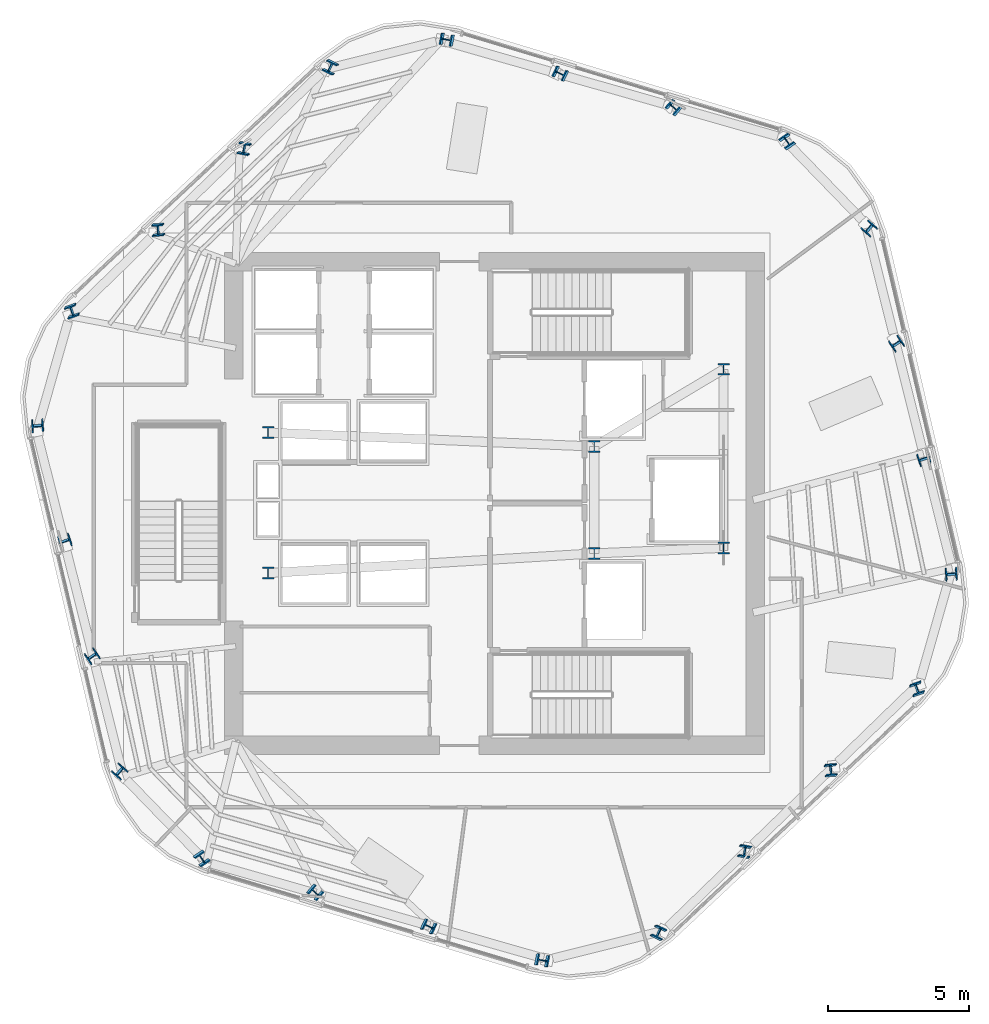
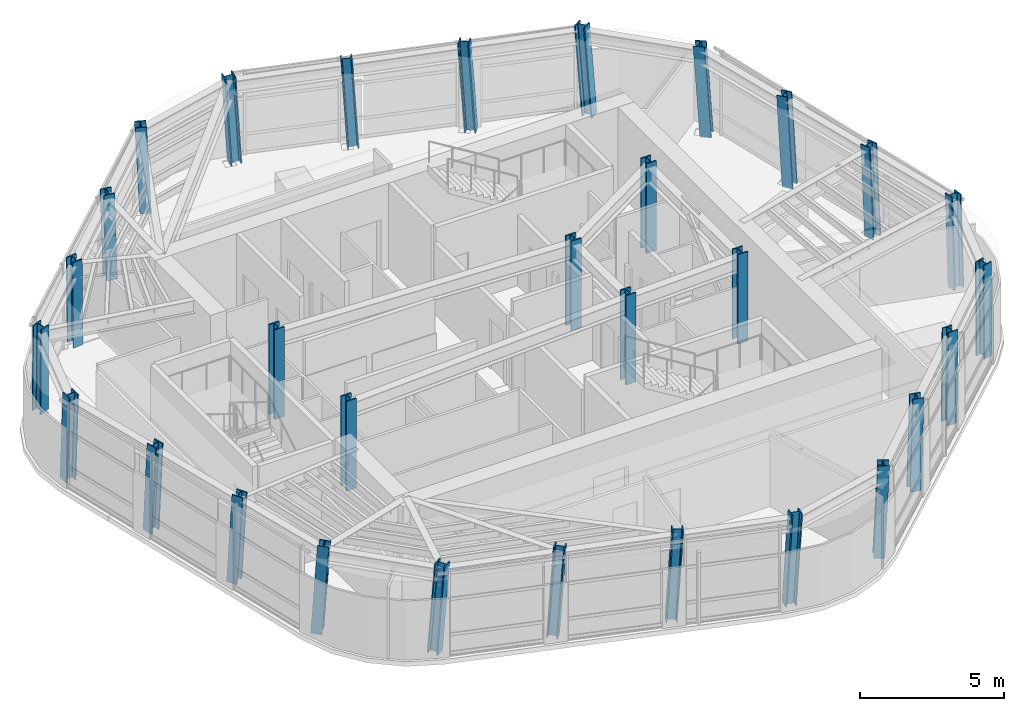
# One storey, part 1 of 14: 30 columns.
"""IFC4 building model written with IfcOpenShell, lengths in metres."""

from ifc_helpers import new_model, si_unit, direction, frame, origin, origin_2d, place, context, subcontext, project, spatial, i_section, extrude, material, material_profile, profile_set, type_object, element, save


model = new_model("IFC4")

# Units and contexts
model_context = context("Model", 3, precision=1e-05, world=origin(), true_north=direction((0.0, 1.0)))
body_context = subcontext(model_context, "Body", "Model", "MODEL_VIEW")
ifc_project = project(units=[si_unit("LENGTHUNIT", "METRE"), si_unit("AREAUNIT", "SQUARE_METRE"), si_unit("VOLUMEUNIT", "CUBIC_METRE"), si_unit("PLANEANGLEUNIT", "RADIAN"), si_unit("MASSUNIT", "GRAM", prefix="KILO")], contexts=[model_context])

# Site, building, storey
site_placement = place(None, origin())
site = spatial("IfcSite", under=ifc_project, at=site_placement, CompositionType="ELEMENT")
building_placement = place(site_placement, origin())
building = spatial("IfcBuilding", under=site, at=building_placement, Name="Valkerne Bourse Tower", CompositionType="ELEMENT")
storey_placement = place(building_placement, frame((0.0, 0.0, 209.39990234375)))
storey = spatial("IfcBuildingStorey", under=building, at=storey_placement, Name="L53", CompositionType="ELEMENT", Elevation=209.39990234375)

# Columns
ifc_material = material(Name="Steel ASTM A913 Grade 65", Category="steel")
ifc_material_profile_1 = material_profile(ifc_material, i_section(OverallWidth=0.40380859375, OverallDepth=0.406494140625, WebThickness=0.027099609375, FlangeThickness=0.043701171875, FilletRadius=0.025390625, at=origin_2d()), Name="W14X233")
ifc_profile_set_1 = profile_set([ifc_material_profile_1], Name="Steel ASTM A913 Grade 65")
column_type_1 = type_object("IfcColumnType", Name="COL-W14X233", PredefinedType="COLUMN", material=ifc_profile_set_1)
column_1_placement = place(storey_placement, frame((57.2412109375, 39.72412109375, 0.010009765625), z_axis=(-0.053081989498, 0.042839226961, 0.997670839017), x_axis=(0.825622382138, 0.563878517046, 0.019715479373)))
element("IfcColumn", 1, at=column_1_placement, inside=storey, type_object=column_type_1, Name="L53 Helical Perimeter Tube Column F1-C1", PredefinedType="COLUMN", context=body_context, shape_type="SweptSolid", body=[
    extrude(i_section(OverallWidth=0.40380859375, OverallDepth=0.406494140625, WebThickness=0.027099609375, FlangeThickness=0.043701171875, FilletRadius=0.025390625, at=origin_2d()), origin(), (0.0, 0.0, 1.0), 3.789794921875),
])
for number, where, z_axis, x_axis, name in (
    (2, (53.208984375, 40.94140625, 0.010009765625), (-0.057995614816, 0.026098026667, 0.99797565184), (0.655890851846, 0.754631901809, 0.018381600467), "L53 Helical Perimeter Tube Column F1-C2"),
    (3, (49.1767578125, 42.15869140625, 0.010009765625), (-0.062893077656, 0.009343746168, 0.997976530381), (0.425996093704, 0.904538330532, 0.018377615389), "L53 Helical Perimeter Tube Column F1-C3"),
):
    element("IfcColumn", number, at=place(storey_placement, frame(where, z_axis=z_axis, x_axis=x_axis)), inside=storey, type_object=column_type_1, Name=name, PredefinedType="COLUMN", context=body_context, shape_type="SweptSolid", body=[
        extrude(i_section(OverallWidth=0.40380859375, OverallDepth=0.406494140625, WebThickness=0.027099609375, FlangeThickness=0.043701171875, FilletRadius=0.025390625, at=origin_2d()), origin(), (0.0, 0.0, 1.0), 3.78857421875),
    ])
for number, where, z_axis, x_axis, name in (
    (4, (45.14453125, 43.376220703125, 0.010009765625), (-0.067769903324, -0.007408306922, 0.99767347223), (0.182621497691, 0.982985822575, 0.019704344622), "L53 Helical Perimeter Tube Column F1-C4"),
    (5, (41.00146484375, 42.404296875, 0.010009765625), (-0.063710996272, -0.024543872174, 0.997666531108), (-0.899348347449, 0.434727676094, -0.046737539293), "L53 Helical Perimeter Tube Column F2-C1"),
):
    element("IfcColumn", number, at=place(storey_placement, frame(where, z_axis=z_axis, x_axis=x_axis)), inside=storey, type_object=column_type_1, Name=name, PredefinedType="COLUMN", context=body_context, shape_type="SweptSolid", body=[
        extrude(i_section(OverallWidth=0.40380859375, OverallDepth=0.406494140625, WebThickness=0.027099609375, FlangeThickness=0.043701171875, FilletRadius=0.025390625, at=origin_2d()), origin(), (0.0, 0.0, 1.0), 3.789794921875),
    ])
for number, where, z_axis, x_axis, name in (
    (6, (37.930908203125, 39.52099609375, 0.010009765625), (-0.051616043067, -0.03718159407, 0.997974605469), (-0.980392387043, 0.192183430068, -0.043546488208), "L53 Helical Perimeter Tube Column F2-C2"),
    (7, (34.860595703125, 36.6376953125, 0.010009765625), (-0.039565856145, -0.04981173746, 0.997974615829), (-0.995718159121, -0.081541772438, -0.043546376948), "L53 Helical Perimeter Tube Column F2-C3"),
):
    element("IfcColumn", number, at=place(storey_placement, frame(where, z_axis=z_axis, x_axis=x_axis)), inside=storey, type_object=column_type_1, Name=name, PredefinedType="COLUMN", context=body_context, shape_type="SweptSolid", body=[
        extrude(i_section(OverallWidth=0.40380859375, OverallDepth=0.406494140625, WebThickness=0.027099609375, FlangeThickness=0.043701171875, FilletRadius=0.025390625, at=origin_2d()), origin(), (0.0, 0.0, 1.0), 3.78857421875),
    ])
for number, where, z_axis, x_axis, name in (
    (8, (31.7900390625, 33.75439453125, 0.010009765625), (-0.027507288022, -0.062422862044, 0.997670654775), (-0.94247057403, -0.331011593814, -0.046696272326), "L53 Helical Perimeter Tube Column F2-C4"),
    (9, (30.56005859375, 29.680419921875, 0.010009765625), (-0.010564866131, -0.06738323154, 0.997671230271), (0.075143096012, -0.994959285269, -0.066404335549), "L53 Helical Perimeter Tube Column F3-C1"),
):
    element("IfcColumn", number, at=place(storey_placement, frame(where, z_axis=z_axis, x_axis=x_axis)), inside=storey, type_object=column_type_1, Name=name, PredefinedType="COLUMN", context=body_context, shape_type="SweptSolid", body=[
        extrude(i_section(OverallWidth=0.40380859375, OverallDepth=0.406494140625, WebThickness=0.027099609375, FlangeThickness=0.043701171875, FilletRadius=0.025390625, at=origin_2d()), origin(), (0.0, 0.0, 1.0), 3.789794921875),
    ])
for number, where, z_axis, x_axis, name in (
    (10, (31.52197265625, 25.57958984375, 0.010009765625), (0.006379516305, -0.063279646583, 0.997975444638), (0.324657514773, -0.943802632857, -0.06192001546), "L53 Helical Perimeter Tube Column F3-C2"),
    (11, (32.483642578125, 21.47900390625, 0.010009765625), (0.023391541914, -0.059155469633, 0.997974682134), (0.56963119223, -0.819563770528, -0.061931662951), "L53 Helical Perimeter Tube Column F3-C3"),
):
    element("IfcColumn", number, at=place(storey_placement, frame(where, z_axis=z_axis, x_axis=x_axis)), inside=storey, type_object=column_type_1, Name=name, PredefinedType="COLUMN", context=body_context, shape_type="SweptSolid", body=[
        extrude(i_section(OverallWidth=0.40380859375, OverallDepth=0.406494140625, WebThickness=0.027099609375, FlangeThickness=0.043701171875, FilletRadius=0.025390625, at=origin_2d()), origin(), (0.0, 0.0, 1.0), 3.78857421875),
    ])
for number, where, z_axis, x_axis, name in (
    (12, (33.445556640625, 17.37841796875, 0.010009765625), (0.040326708995, -0.055078811806, 0.997667319817), (0.7580459344, -0.648806157296, -0.066459999963), "L53 Helical Perimeter Tube Column F3-C4"),
    (13, (36.358642578125, 14.27587890625, 0.010009765625), (0.053081989498, -0.042839226961, 0.997670839017), (0.825622382138, 0.563878517046, -0.019715479373), "L53 Helical Perimeter Tube Column F4-C1"),
):
    element("IfcColumn", number, at=place(storey_placement, frame(where, z_axis=z_axis, x_axis=x_axis)), inside=storey, type_object=column_type_1, Name=name, PredefinedType="COLUMN", context=body_context, shape_type="SweptSolid", body=[
        extrude(i_section(OverallWidth=0.40380859375, OverallDepth=0.406494140625, WebThickness=0.027099609375, FlangeThickness=0.043701171875, FilletRadius=0.025390625, at=origin_2d()), origin(), (0.0, 0.0, 1.0), 3.789794921875),
    ])
for number, where, z_axis, x_axis, name in (
    (14, (40.39111328125, 13.05859375, 0.010009765625), (0.057931391626, -0.026098124147, 0.997979379436), (0.656205843786, 0.75435842203, -0.018364686036), "L53 Helical Perimeter Tube Column F4-C2"),
    (15, (44.423095703125, 11.84130859375, 0.010009765625), (0.062957262, -0.009343708281, 0.997972483727), (0.425860352579, 0.904601872988, -0.018395963898), "L53 Helical Perimeter Tube Column F4-C3"),
):
    element("IfcColumn", number, at=place(storey_placement, frame(where, z_axis=z_axis, x_axis=x_axis)), inside=storey, type_object=column_type_1, Name=name, PredefinedType="COLUMN", context=body_context, shape_type="SweptSolid", body=[
        extrude(i_section(OverallWidth=0.40380859375, OverallDepth=0.406494140625, WebThickness=0.027099609375, FlangeThickness=0.043701171875, FilletRadius=0.025390625, at=origin_2d()), origin(), (0.0, 0.0, 1.0), 3.78857421875),
    ])
for number, where, z_axis, x_axis, name in (
    (16, (48.455322265625, 10.623779296875, 0.010009765625), (0.067834027099, 0.007408274564, 0.997669114604), (0.182721087933, 0.98296694576, -0.019722767764), "L53 Helical Perimeter Tube Column F4-C4"),
    (17, (52.5986328125, 11.595703125, 0.010009765625), (0.06364683775, 0.024543972857, 0.997670623723), (-0.899498492469, 0.434421329084, 0.04669658321), "L53 Helical Perimeter Tube Column F5-C1"),
):
    element("IfcColumn", number, at=place(storey_placement, frame(where, z_axis=z_axis, x_axis=x_axis)), inside=storey, type_object=column_type_1, Name=name, PredefinedType="COLUMN", context=body_context, shape_type="SweptSolid", body=[
        extrude(i_section(OverallWidth=0.40380859375, OverallDepth=0.406494140625, WebThickness=0.027099609375, FlangeThickness=0.043701171875, FilletRadius=0.025390625, at=origin_2d()), origin(), (0.0, 0.0, 1.0), 3.789794921875),
    ])
for number, where, z_axis, x_axis, name in (
    (18, (55.6689453125, 14.47900390625, 0.010009765625), (0.051616043067, 0.03718159407, 0.997974605469), (-0.980392387043, 0.192183430068, 0.043546488208), "L53 Helical Perimeter Tube Column F5-C2"),
    (19, (58.739501953125, 17.3623046875, 0.010009765625), (0.039565856145, 0.04981173746, 0.997974615829), (-0.995718159121, -0.081541772438, 0.043546376948), "L53 Helical Perimeter Tube Column F5-C3"),
):
    element("IfcColumn", number, at=place(storey_placement, frame(where, z_axis=z_axis, x_axis=x_axis)), inside=storey, type_object=column_type_1, Name=name, PredefinedType="COLUMN", context=body_context, shape_type="SweptSolid", body=[
        extrude(i_section(OverallWidth=0.40380859375, OverallDepth=0.406494140625, WebThickness=0.027099609375, FlangeThickness=0.043701171875, FilletRadius=0.025390625, at=origin_2d()), origin(), (0.0, 0.0, 1.0), 3.78857421875),
    ])
for number, where, z_axis, x_axis, name in (
    (20, (61.809814453125, 20.24560546875, 0.010009765625), (0.027507288022, 0.062422862044, 0.997670654775), (-0.94247057403, -0.331011593814, 0.046696272326), "L53 Helical Perimeter Tube Column F5-C4"),
    (21, (63.039794921875, 24.319580078125, 0.010009765625), (0.01062927879, 0.06738318554, 0.997670549199), (0.074214920787, -0.995028301931, 0.066414033828), "L53 Helical Perimeter Tube Column F6-C1"),
):
    element("IfcColumn", number, at=place(storey_placement, frame(where, z_axis=z_axis, x_axis=x_axis)), inside=storey, type_object=column_type_1, Name=name, PredefinedType="COLUMN", context=body_context, shape_type="SweptSolid", body=[
        extrude(i_section(OverallWidth=0.40380859375, OverallDepth=0.406494140625, WebThickness=0.027099609375, FlangeThickness=0.043701171875, FilletRadius=0.025390625, at=origin_2d()), origin(), (0.0, 0.0, 1.0), 3.789794921875),
    ])
for number, where, z_axis, x_axis, name in (
    (22, (62.078125, 28.42041015625, 0.010009765625), (-0.006379516305, 0.063279646583, 0.997975444638), (0.324657514773, -0.943802632857, 0.06192001546), "L53 Helical Perimeter Tube Column F6-C2"),
    (23, (61.1162109375, 32.52099609375, 0.010009765625), (-0.023327137518, 0.059155558677, 0.997976184352), (0.568859136177, -0.820101575611, 0.061908713999), "L53 Helical Perimeter Tube Column F6-C3"),
):
    element("IfcColumn", number, at=place(storey_placement, frame(where, z_axis=z_axis, x_axis=x_axis)), inside=storey, type_object=column_type_1, Name=name, PredefinedType="COLUMN", context=body_context, shape_type="SweptSolid", body=[
        extrude(i_section(OverallWidth=0.40380859375, OverallDepth=0.406494140625, WebThickness=0.027099609375, FlangeThickness=0.043701171875, FilletRadius=0.025390625, at=origin_2d()), origin(), (0.0, 0.0, 1.0), 3.78857421875),
    ])
column_2_placement = place(storey_placement, frame((60.154541015625, 36.62158203125, 0.010009765625), z_axis=(-0.040326708995, 0.055078811806, 0.997667319817), x_axis=(0.7580459344, -0.648806157296, 0.066459999963)))
element("IfcColumn", 24, at=column_2_placement, inside=storey, type_object=column_type_1, Name="L53 Helical Perimeter Tube Column F6-C4", PredefinedType="COLUMN", context=body_context, shape_type="SweptSolid", body=[
    extrude(i_section(OverallWidth=0.40380859375, OverallDepth=0.406494140625, WebThickness=0.027099609375, FlangeThickness=0.043701171875, FilletRadius=0.025390625, at=origin_2d()), origin(), (0.0, 0.0, 1.0), 3.789794921875),
])
ifc_material_profile_2 = material_profile(ifc_material, i_section(OverallWidth=0.408935546875, OverallDepth=0.42431640625, WebThickness=0.03271484375, FlangeThickness=0.052490234375, FilletRadius=0.025390625, at=origin_2d()), Name="W14X283")
ifc_profile_set_2 = profile_set([ifc_material_profile_2], Name="Steel ASTM A913 Grade 65")
column_type_2 = type_object("IfcColumnType", Name="COL-W14X283", PredefinedType="COLUMN", material=ifc_profile_set_2)
for number, where, z_axis, x_axis, name in (
    (25, (38.75, 24.39990234375, 0.005126953125), (0.0, 0.0, 1.0), (1.0, 0.0, 0.0), "L53 Core Frame Column CC-SW"),
    (26, (38.75, 29.39990234375, 0.005126953125), (0.0, 0.0, 1.0), (1.0, 0.0, 0.0), "L53 Core Frame Column CC-NW"),
    (27, (50.35009765625, 25.10009765625, 0.005126953125), (0.0, 0.0, 1.0), (1.0, 0.0, 0.0), "L53 Core Frame Column CC-CE1"),
    (28, (50.35009765625, 28.89990234375, 0.005126953125), (0.0, 0.0, 1.0), (1.0, 0.0, 0.0), "L53 Core Frame Column CC-CE2"),
    (29, (54.949951171875, 25.300048828125, 0.005126953125), (0.0, 0.0, 1.0), (1.0, 0.0, 0.0), "L53 Core Frame Column CC-SE"),
    (30, (54.949951171875, 31.64990234375, 0.005126953125), (0.0, 0.0, 1.0), (1.0, 0.0, 0.0), "L53 Core Frame Column CC-NE"),
):
    element("IfcColumn", number, at=place(storey_placement, frame(where, z_axis=z_axis, x_axis=x_axis)), inside=storey, type_object=column_type_2, Name=name, PredefinedType="COLUMN", context=body_context, shape_type="SweptSolid", body=[
        extrude(i_section(OverallWidth=0.408935546875, OverallDepth=0.42431640625, WebThickness=0.03271484375, FlangeThickness=0.052490234375, FilletRadius=0.025390625, at=origin_2d()), origin(), (0.0, 0.0, 1.0), 3.794921875),
    ])

save(model, "model.ifc")
